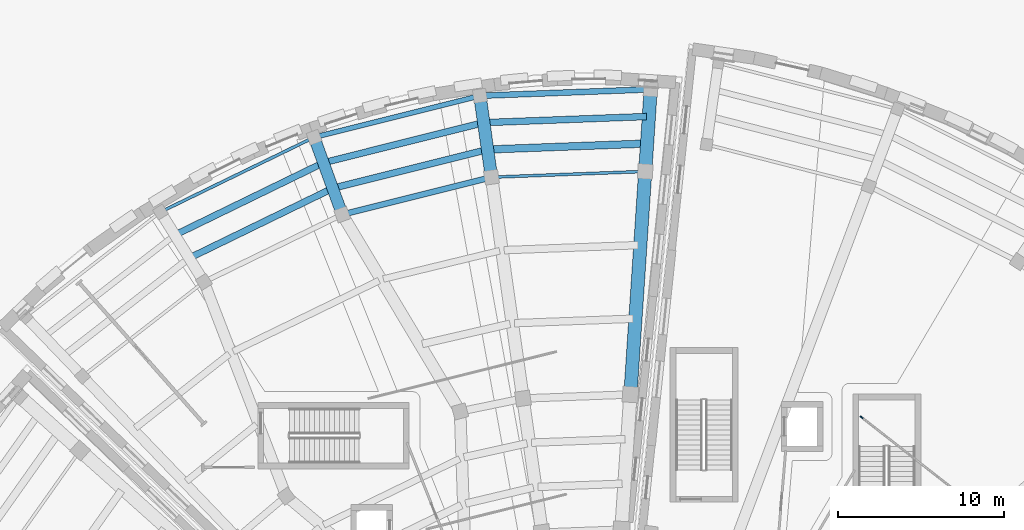
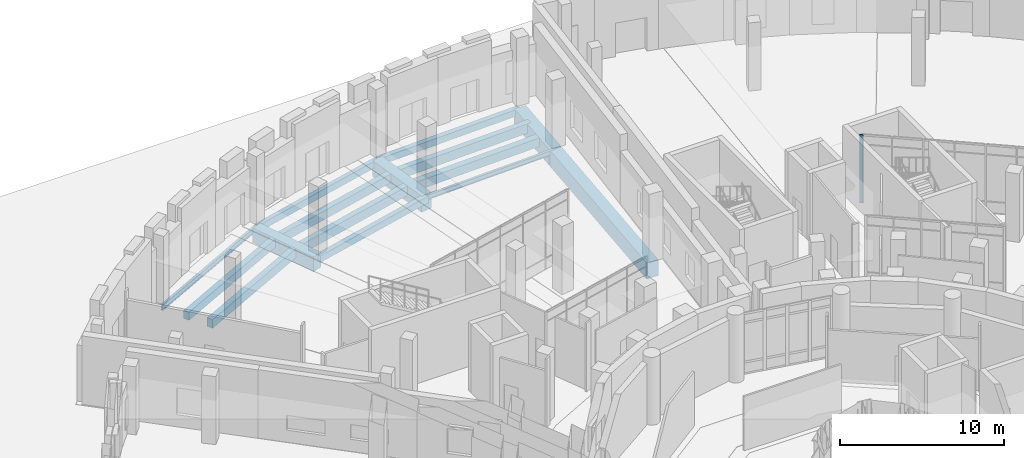
# One storey, part 26 of 74: 15 beams, 1 member, 1 element without a shape of its own.
"""IFC4 building model written with IfcOpenShell, lengths in metres."""

from ifc_helpers import new_model, si_unit, direction, frame, origin, origin_2d, place, context, subcontext, project, spatial, rectangle, i_section, extrude, material, material_profile, profile_set, type_object, element, aggregate, save


model = new_model("IFC4")

# Units and contexts
model_context = context("Model", 3, precision=1e-05, world=origin(), true_north=direction((0.0, 1.0)))
body_context = subcontext(model_context, "Body", "Model", "MODEL_VIEW")
ifc_project = project(units=[si_unit("LENGTHUNIT", "METRE"), si_unit("AREAUNIT", "SQUARE_METRE"), si_unit("VOLUMEUNIT", "CUBIC_METRE"), si_unit("PLANEANGLEUNIT", "RADIAN"), si_unit("MASSUNIT", "GRAM", prefix="KILO")], contexts=[model_context])

# Site, building, storey
site_placement = place(None, origin())
site = spatial("IfcSite", under=ifc_project, at=site_placement, CompositionType="ELEMENT")
building_placement = place(site_placement, origin())
building = spatial("IfcBuilding", under=site, at=building_placement, Name="Soyqirgoq Riverine Aquarium", CompositionType="ELEMENT")
storey_placement = place(building_placement, origin())
storey = spatial("IfcBuildingStorey", under=building, at=storey_placement, Name="L01", CompositionType="ELEMENT", Elevation=0.0)

# Beams
ifc_material_1 = material(Name="Concrete C40/50", Category="concrete")
ifc_material_profile_1 = material_profile(ifc_material_1, rectangle(XDim=0.39990234375, YDim=0.60009765625, at=origin_2d()), Name="RC 400x600")
ifc_profile_set_1 = profile_set([ifc_material_profile_1], Name="Concrete C40/50")
beam_type_1 = type_object("IfcBeamType", Name="Beam_RC_400x600", PredefinedType="JOIST", material=ifc_profile_set_1)
beam_1_placement = place(storey_placement, frame((39.468505859375, 102.012451171875, -0.64990234375), z_axis=(-0.899175454325, -0.43758827948, 0.0), x_axis=(0.43758827948, -0.899175454325, 0.0)))
element("IfcBeam", 1, at=beam_1_placement, inside=storey, type_object=beam_type_1, Name="V4 L01 Secondary Floor Joist 0529", PredefinedType="JOIST", context=body_context, shape_type="SweptSolid", body=[
    extrude(rectangle(XDim=0.39990234375, YDim=0.60009765625, at=origin_2d()), origin(), (0.0, 0.0, 1.0), 9.664306640625),
])
ifc_material_2 = material(Name="Concrete C40/50", Category="concrete")
ifc_material_profile_2 = material_profile(ifc_material_2, rectangle(XDim=0.39990234375, YDim=0.64990234375, at=origin_2d()), Name="RC 400x650")
ifc_profile_set_2 = profile_set([ifc_material_profile_2], Name="Concrete C40/50")
beam_type_2 = type_object("IfcBeamType", Name="Beam_RC_400x650", PredefinedType="BEAM", material=ifc_profile_set_2)
beam_2_placement = place(storey_placement, frame((49.105712890625, 104.4541015625, -0.675048828125), z_axis=(-0.970086007326, -0.242761484569, 0.0), x_axis=(0.242761484569, -0.970086007326, 0.0)))
element("IfcBeam", 2, at=beam_2_placement, inside=storey, type_object=beam_type_2, Name="V4 L01 Secondary Floor Joist 0527", PredefinedType="BEAM", context=body_context, shape_type="SweptSolid", body=[
    extrude(rectangle(XDim=0.39990234375, YDim=0.64990234375, at=origin_2d()), origin(), (0.0, 0.0, 1.0), 9.66455078125),
])
beam_3_placement = place(storey_placement, frame((40.02734375, 100.4775390625, -0.675048828125), z_axis=(-0.899181920875, -0.437574991482, 0.0), x_axis=(0.437574991482, -0.899181920875, 0.0)))
element("IfcBeam", 3, at=beam_3_placement, inside=storey, type_object=beam_type_2, Name="V4 L01 Secondary Floor Joist 0528", PredefinedType="BEAM", context=body_context, shape_type="SweptSolid", body=[
    extrude(rectangle(XDim=0.39990234375, YDim=0.64990234375, at=origin_2d()), origin(), (0.0, 0.0, 1.0), 9.325927734375),
])
ifc_material_3 = material(Name="Concrete C40/50", Category="concrete")
ifc_material_profile_3 = material_profile(ifc_material_3, rectangle(XDim=0.39990234375, YDim=0.699951171875, at=origin_2d()), Name="RC 400x700")
ifc_profile_set_3 = profile_set([ifc_material_profile_3], Name="Concrete C40/50")
beam_type_3 = type_object("IfcBeamType", Name="Beam_RC_400x700", PredefinedType="BEAM", material=ifc_profile_set_3)
beam_4_placement = place(storey_placement, frame((59.0390625, 104.855712890625, -0.699951171875), z_axis=(-0.999297071666, -0.037488165589, 0.0), x_axis=(0.037488165589, -0.999297071666, 0.0)))
element("IfcBeam", 4, at=beam_4_placement, inside=storey, type_object=beam_type_3, Name="V4 L01 Secondary Floor Joist 0525", PredefinedType="BEAM", context=body_context, shape_type="SweptSolid", body=[
    extrude(rectangle(XDim=0.39990234375, YDim=0.699951171875, at=origin_2d()), origin(), (0.0, 0.0, 1.0), 9.66455078125),
])
beam_5_placement = place(storey_placement, frame((49.335693359375, 102.8369140625, -0.699951171875), z_axis=(-0.970079328611, -0.242788171462, 0.0), x_axis=(0.242788171462, -0.970079328611, 0.0)))
element("IfcBeam", 5, at=beam_5_placement, inside=storey, type_object=beam_type_3, Name="V4 L01 Secondary Floor Joist 0526", PredefinedType="BEAM", context=body_context, shape_type="SweptSolid", body=[
    extrude(rectangle(XDim=0.39990234375, YDim=0.699951171875, at=origin_2d()), origin(), (0.0, 0.0, 1.0), 9.32568359375),
])
ifc_material_4 = material(Name="Concrete C40/50", Category="concrete")
ifc_material_profile_4 = material_profile(ifc_material_4, rectangle(XDim=0.449951171875, YDim=0.64990234375, at=origin_2d()), Name="RC 450x650")
ifc_profile_set_4 = profile_set([ifc_material_profile_4], Name="Concrete C40/50")
beam_type_4 = type_object("IfcBeamType", Name="Beam_RC_450x650", PredefinedType="BEAM", material=ifc_profile_set_4)
beam_6_placement = place(storey_placement, frame((58.930908203125, 103.225830078125, -0.675048828125), z_axis=(-0.999297076426, -0.037488038705, 0.0), x_axis=(0.037488038705, -0.999297076426, 0.0)))
element("IfcBeam", 6, at=beam_6_placement, inside=storey, type_object=beam_type_4, Name="V4 L01 Secondary Floor Joist 0524", PredefinedType="BEAM", context=body_context, shape_type="SweptSolid", body=[
    extrude(rectangle(XDim=0.449951171875, YDim=0.64990234375, at=origin_2d()), origin(), (0.0, 0.0, 1.0), 9.325927734375),
])

# Curtain wall, member
ifc_material_5 = material(Name="Cast polymethyl methacrylate PMMA Habitat Viewing Glazing", Category="glass")
curtain_wall_type = type_object("IfcCurtainWallType", Name="CW_Interior_TankVitrine", PredefinedType="NOTDEFINED", material=ifc_material_5)
curtain_wall_placement = place(storey_placement, origin())
curtain_wall = element("IfcCurtainWall", 7, at=curtain_wall_placement, inside=storey, type_object=curtain_wall_type, Name="V5 L01 Curtain Wall 158", PredefinedType="NOTDEFINED")
ifc_material_6 = material(Name="Anodised aluminium 6063-T6", Category="aluminium")
ifc_material_profile_5 = material_profile(ifc_material_6, rectangle(XDim=0.080078125, YDim=0.219970703125, at=origin_2d()), Name="ALU-M 80x220")
ifc_profile_set_5 = profile_set([ifc_material_profile_5], Name="Anodised aluminium 6063-T6")
member_type = type_object("IfcMemberType", Name="CWMullion_80x220", PredefinedType="MULLION", material=ifc_profile_set_5)
member_placement = place(storey_placement, frame((71.978515625, 86.75732421875, 0.0), z_axis=(0.0, 0.0, 1.0), x_axis=(-0.615655141832, -0.788015701833, 0.0)))
member = element("IfcMember", 8, at=member_placement, type_object=member_type, Name="CW-07 mullion 7", PredefinedType="MULLION", context=body_context, shape_type="SweptSolid", body=[
    extrude(rectangle(XDim=0.080078125, YDim=0.219970703125, at=origin_2d()), origin(), (0.0, 0.0, 1.0), 5.10009765625),
])
aggregate(curtain_wall, [member])

# Beams
ifc_material_7 = material(Name="Concrete C40/50", Category="concrete")
ifc_material_profile_6 = material_profile(ifc_material_7, rectangle(XDim=0.699951171875, YDim=1.10009765625, at=origin_2d()), Name="RC 700x1100")
ifc_profile_set_6 = profile_set([ifc_material_profile_6], Name="Concrete C40/50")
beam_type_5 = type_object("IfcBeamType", Name="Girder_RC_700x1100", PredefinedType="BEAM", material=ifc_profile_set_6)
beam_7_placement = place(storey_placement, frame((40.711669921875, 99.00439453125, -0.89990234375), z_axis=(-0.342009814461, 0.939696380121, 0.0), x_axis=(-0.939696380121, -0.342009814461, 0.0)))
element("IfcBeam", 9, at=beam_7_placement, inside=storey, type_object=beam_type_5, Name="V4 L01 Wedge Radial Girder 0477", PredefinedType="BEAM", context=body_context, shape_type="SweptSolid", body=[
    extrude(rectangle(XDim=0.699951171875, YDim=1.10009765625, at=origin_2d()), origin(), (0.0, 0.0, 1.0), 4.849853515625),
])
ifc_material_8 = material(Name="Concrete C40/50", Category="concrete")
ifc_material_profile_7 = material_profile(ifc_material_8, rectangle(XDim=0.75, YDim=1.199951171875, at=origin_2d()), Name="RC 750x1200")
ifc_profile_set_7 = profile_set([ifc_material_profile_7], Name="Concrete C40/50")
beam_type_6 = type_object("IfcBeamType", Name="Girder_RC_750x1200", PredefinedType="BEAM", material=ifc_profile_set_7)
beam_8_placement = place(storey_placement, frame((49.701904296875, 101.254150390625, -0.949951171875), z_axis=(-0.140949160463, 0.990016835294, 0.0), x_axis=(-0.990016835294, -0.140949160463, 0.0)))
element("IfcBeam", 10, at=beam_8_placement, inside=storey, type_object=beam_type_6, Name="V4 L01 Wedge Radial Girder 0473", PredefinedType="BEAM", context=body_context, shape_type="SweptSolid", body=[
    extrude(rectangle(XDim=0.75, YDim=1.199951171875, at=origin_2d()), origin(), (0.0, 0.0, 1.0), 4.849853515625),
])
ifc_material_9 = material(Name="Concrete C40/50", Category="concrete")
ifc_material_profile_8 = material_profile(ifc_material_9, rectangle(XDim=0.800048828125, YDim=1.199951171875, at=origin_2d()), Name="RC 800x1200")
ifc_profile_set_8 = profile_set([ifc_material_profile_8], Name="Concrete C40/50")
beam_type_7 = type_object("IfcBeamType", Name="Girder_RC_800x1200", PredefinedType="BEAM", material=ifc_profile_set_8)
beam_9_placement = place(storey_placement, frame((58.071044921875, 88.181396484375, -0.949951171875), z_axis=(0.066275036156, 0.997801392855, 0.0), x_axis=(-0.997801392855, 0.066275036156, 0.0)))
element("IfcBeam", 11, at=beam_9_placement, inside=storey, type_object=beam_type_7, Name="V4 L01 Wedge Radial Girder 0468", PredefinedType="BEAM", context=body_context, shape_type="SweptSolid", body=[
    extrude(rectangle(XDim=0.800048828125, YDim=1.199951171875, at=origin_2d()), origin(), (0.0, 0.0, 1.0), 13.349853515625),
])
beam_10_placement = place(storey_placement, frame((58.96240234375, 101.601806640625, -0.949951171875), z_axis=(0.066295160615, 0.997800055963, 0.0), x_axis=(-0.997800055963, 0.066295160615, 0.0)))
element("IfcBeam", 12, at=beam_10_placement, inside=storey, type_object=beam_type_7, Name="V4 L01 Wedge Radial Girder 0469", PredefinedType="BEAM", context=body_context, shape_type="SweptSolid", body=[
    extrude(rectangle(XDim=0.800048828125, YDim=1.199951171875, at=origin_2d()), origin(), (0.0, 0.0, 1.0), 4.85009765625),
])
ifc_material_10 = material(Name="Concrete C40/50", Category="concrete")
ifc_material_profile_9 = material_profile(ifc_material_10, rectangle(XDim=0.300048828125, YDim=0.5, at=origin_2d()), Name="RC 300x500")
ifc_profile_set_9 = profile_set([ifc_material_profile_9], Name="Concrete C40/50")
beam_type_8 = type_object("IfcBeamType", Name="Spandrel_RC_300x500", PredefinedType="SPANDREL", material=ifc_profile_set_9)
beam_11_placement = place(storey_placement, frame((48.962890625, 106.093017578125, -0.60009765625), z_axis=(-0.970084651457, -0.242766902619, 0.0), x_axis=(0.242766902619, -0.970084651457, 0.0)))
element("IfcBeam", 13, at=beam_11_placement, inside=storey, type_object=beam_type_8, Name="V4 L01 Wedge Chord Beam 0533", PredefinedType="SPANDREL", context=body_context, shape_type="SweptSolid", body=[
    extrude(rectangle(XDim=0.300048828125, YDim=0.5, at=origin_2d()), origin(), (0.0, 0.0, 1.0), 10.183349609375),
])
ifc_material_11 = material(Name="Concrete C40/50", Category="concrete")
ifc_material_profile_10 = material_profile(ifc_material_11, rectangle(XDim=0.35009765625, YDim=0.5, at=origin_2d()), Name="RC 350x500")
ifc_profile_set_10 = profile_set([ifc_material_profile_10], Name="Concrete C40/50")
beam_type_9 = type_object("IfcBeamType", Name="Spandrel_RC_350x500", PredefinedType="SPANDREL", material=ifc_profile_set_10)
beam_12_placement = place(storey_placement, frame((49.660400390625, 101.1923828125, -0.60009765625), z_axis=(-0.970087583471, -0.242755186135, 0.0), x_axis=(0.242755186135, -0.970087583471, 0.0)))
element("IfcBeam", 14, at=beam_12_placement, inside=storey, type_object=beam_type_9, Name="V4 L01 Wedge Chord Beam 0521", PredefinedType="SPANDREL", context=body_context, shape_type="SweptSolid", body=[
    extrude(rectangle(XDim=0.35009765625, YDim=0.5, at=origin_2d()), origin(), (0.0, 0.0, 1.0), 9.156982421875),
])
beam_13_placement = place(storey_placement, frame((59.2373046875, 106.489013671875, -0.60009765625), z_axis=(-0.999296751316, -0.037496703991, 0.0), x_axis=(0.037496703991, -0.999296751316, 0.0)))
element("IfcBeam", 15, at=beam_13_placement, inside=storey, type_object=beam_type_9, Name="V4 L01 Wedge Chord Beam 0532", PredefinedType="SPANDREL", context=body_context, shape_type="SweptSolid", body=[
    extrude(rectangle(XDim=0.35009765625, YDim=0.5, at=origin_2d()), origin(), (0.0, 0.0, 1.0), 10.18310546875),
])
ifc_material_12 = material(Name="Structural steel S355", Category="steel")
ifc_material_profile_11 = material_profile(ifc_material_12, i_section(OverallWidth=0.169921875, OverallDepth=0.360107421875, WebThickness=0.008056640625, FlangeThickness=0.0126953125, FilletRadius=0.01806640625, at=origin_2d()), Name="IPE 360")
ifc_profile_set_11 = profile_set([ifc_material_profile_11], Name="Structural steel S355")
beam_type_10 = type_object("IfcBeamType", Name="Spandrel_Steel_IPE360", PredefinedType="SPANDREL", material=ifc_profile_set_11)
beam_14_placement = place(storey_placement, frame((58.9091796875, 101.5498046875, -0.530029296875), z_axis=(-0.999297116407, -0.037486972937, 0.0), x_axis=(0.037486972937, -0.999297116407, 0.0)))
element("IfcBeam", 16, at=beam_14_placement, inside=storey, type_object=beam_type_10, Name="V4 L01 Wedge Chord Beam 0520", PredefinedType="SPANDREL", context=body_context, shape_type="SweptSolid", body=[
    extrude(i_section(OverallWidth=0.169921875, OverallDepth=0.360107421875, WebThickness=0.008056640625, FlangeThickness=0.0126953125, FilletRadius=0.01806640625, at=origin_2d()), origin(), (0.0, 0.0, 1.0), 9.15673828125),
])
ifc_material_13 = material(Name="Structural steel S355", Category="steel")
ifc_material_profile_12 = material_profile(ifc_material_13, i_section(OverallWidth=0.179931640625, OverallDepth=0.39990234375, WebThickness=0.008544921875, FlangeThickness=0.013427734375, FilletRadius=0.02099609375, at=origin_2d()), Name="IPE 400")
ifc_profile_set_12 = profile_set([ifc_material_profile_12], Name="Structural steel S355")
beam_type_11 = type_object("IfcBeamType", Name="Spandrel_Steel_IPE400", PredefinedType="SPANDREL", material=ifc_profile_set_12)
beam_15_placement = place(storey_placement, frame((38.99072265625, 103.5869140625, -0.550048828125), z_axis=(-0.899170842723, -0.437597755476, 0.0), x_axis=(0.437597755476, -0.899170842723, 0.0)))
element("IfcBeam", 17, at=beam_15_placement, inside=storey, type_object=beam_type_11, Name="V4 L01 Wedge Chord Beam 0534", PredefinedType="SPANDREL", context=body_context, shape_type="SweptSolid", body=[
    extrude(i_section(OverallWidth=0.179931640625, OverallDepth=0.39990234375, WebThickness=0.008544921875, FlangeThickness=0.013427734375, FilletRadius=0.02099609375, at=origin_2d()), origin(), (0.0, 0.0, 1.0), 10.18310546875),
])

save(model, "model.ifc")
